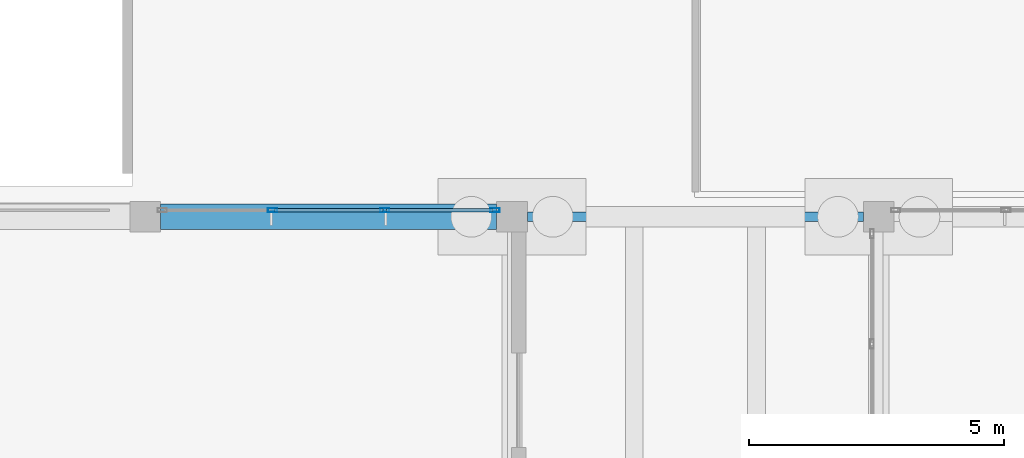
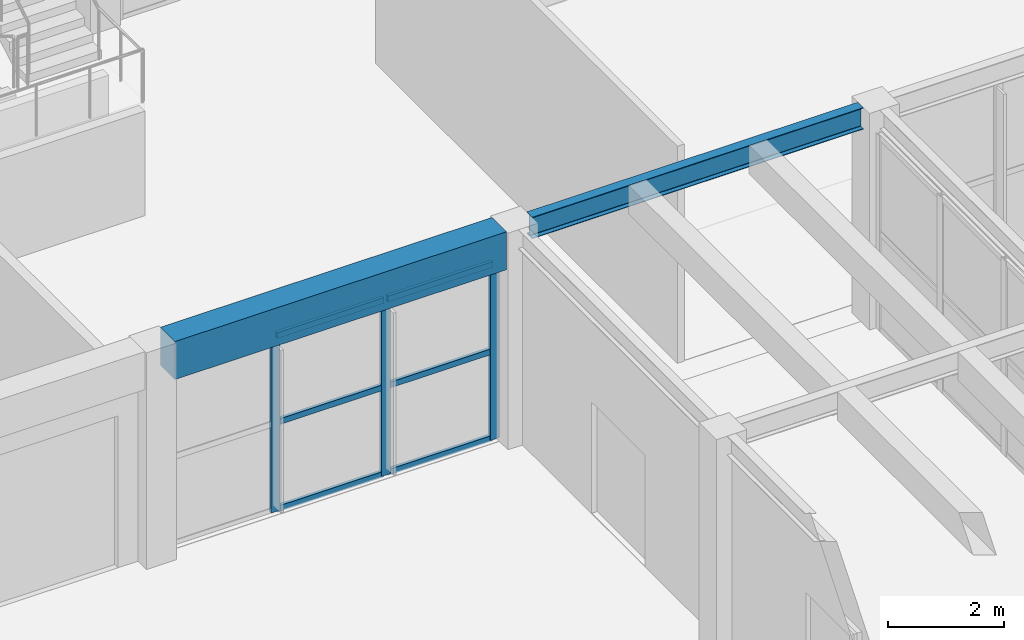
# One storey, part 28 of 155: 9 members, 2 beams, 1 element without a shape of its own.
"""IFC4 building model written with IfcOpenShell, lengths in metres."""

from ifc_helpers import new_model, si_unit, direction, frame, origin, origin_2d, place, context, subcontext, project, spatial, rectangle, hollow_rectangle, i_section, extrude, material, material_profile, profile_set, type_object, element, aggregate, save


model = new_model("IFC4")

# Units and contexts
model_context = context("Model", 3, precision=1e-05, world=origin(), true_north=direction((0.0, 1.0)))
body_context = subcontext(model_context, "Body", "Model", "MODEL_VIEW")
ifc_project = project(units=[si_unit("LENGTHUNIT", "METRE"), si_unit("AREAUNIT", "SQUARE_METRE"), si_unit("VOLUMEUNIT", "CUBIC_METRE"), si_unit("PLANEANGLEUNIT", "RADIAN"), si_unit("MASSUNIT", "GRAM", prefix="KILO")], contexts=[model_context])

# Site, building, storey
site_placement = place(None, origin())
site = spatial("IfcSite", under=ifc_project, at=site_placement, CompositionType="ELEMENT")
building_placement = place(site_placement, origin())
building = spatial("IfcBuilding", under=site, at=building_placement, Name="Bramvelor Terrace Health Centre", CompositionType="ELEMENT")
storey_placement = place(building_placement, origin())
storey = spatial("IfcBuildingStorey", under=building, at=storey_placement, Name="L01", CompositionType="ELEMENT", Elevation=0.0)

# Beams
ifc_material_1 = material(Name="Concrete C40/50", Category="concrete")
ifc_material_profile_1 = material_profile(ifc_material_1, rectangle(XDim=0.5, YDim=0.800048828125, at=origin_2d()), Name="RC 500x800")
ifc_profile_set_1 = profile_set([ifc_material_profile_1], Name="Concrete C40/50")
beam_type_1 = type_object("IfcBeamType", Name="BM-RC-G800", PredefinedType="BEAM", material=ifc_profile_set_1)
beam_1_placement = place(storey_placement, frame((50.699951171875, 36.0, 4.159912109375), z_axis=(1.0, 0.0, 0.0), x_axis=(0.0, 1.0, 0.0)))
element("IfcBeam", 1, at=beam_1_placement, inside=storey, type_object=beam_type_1, Name="L01 Floor Girder", PredefinedType="BEAM", context=body_context, shape_type="SweptSolid", body=[
    extrude(rectangle(XDim=0.5, YDim=0.800048828125, at=origin_2d()), origin(), (0.0, 0.0, 1.0), 6.60009765625),
])
ifc_material_2 = material(Name="Steel S355J2", Category="steel")
ifc_material_profile_2 = material_profile(ifc_material_2, i_section(OverallWidth=0.18994140625, OverallDepth=0.453369140625, WebThickness=0.008544921875, FlangeThickness=0.0126953125, FilletRadius=0.01025390625, at=origin_2d()), Name="UB 457x191x67")
ifc_profile_set_2 = profile_set([ifc_material_profile_2], Name="Steel S355J2")
beam_type_2 = type_object("IfcBeamType", Name="BM-STL-UB457", PredefinedType="BEAM", material=ifc_profile_set_2)
beam_2_placement = place(storey_placement, frame((57.89990234375, 36.0, 4.333251953125), z_axis=(1.0, 0.0, 0.0), x_axis=(0.0, 1.0, 0.0)))
element("IfcBeam", 2, at=beam_2_placement, inside=storey, type_object=beam_type_2, Name="L01 Floor Girder", PredefinedType="BEAM", context=body_context, shape_type="SweptSolid", body=[
    extrude(i_section(OverallWidth=0.18994140625, OverallDepth=0.453369140625, WebThickness=0.008544921875, FlangeThickness=0.0126953125, FilletRadius=0.01025390625, at=origin_2d()), origin(), (0.0, 0.0, 1.0), 6.60009765625),
])

# Curtain wall, members
ifc_material_3 = material(Name="Anodized aluminium and double low-E glass", Category="aluminium")
curtain_wall_type = type_object("IfcCurtainWallType", Name="CW-SYS-02", PredefinedType="NOTDEFINED", material=ifc_material_3)
curtain_wall_placement = place(storey_placement, origin())
curtain_wall = element("IfcCurtainWall", 3, at=curtain_wall_placement, inside=storey, type_object=curtain_wall_type, Name="L01 Unitized Curtain Wall 57", PredefinedType="NOTDEFINED")
ifc_material_4 = material(Name="Anodized aluminium 6063-T6", Category="aluminium")
ifc_material_profile_3 = material_profile(ifc_material_4, hollow_rectangle(XDim=0.074951171875, YDim=0.179931640625, WallThickness=0.00341796875, at=origin_2d()), Name="ALU-MUL 75x180x3.5")
ifc_profile_set_3 = profile_set([ifc_material_profile_3], Name="Anodized aluminium 6063-T6")
member_type_1 = type_object("IfcMemberType", Name="CW-MUL-65x180", PredefinedType="MULLION", material=ifc_profile_set_3)
member_1_placement = place(storey_placement, frame((57.267578125, 36.1298828125, 0.0), z_axis=(0.0, 0.0, 1.0), x_axis=(0.0, -1.0, 0.0)))
member_1 = element("IfcMember", 4, at=member_1_placement, type_object=member_type_1, Name="CW-02 mullion 1", PredefinedType="MULLION", context=body_context, shape_type="SweptSolid", body=[
    extrude(hollow_rectangle(XDim=0.074951171875, YDim=0.179931640625, WallThickness=0.00341796875, at=origin_2d()), origin(), (0.0, 0.0, 1.0), 3.719970703125),
])
member_2_placement = place(storey_placement, frame((55.1015625, 36.1298828125, 0.0), z_axis=(0.0, 0.0, 1.0), x_axis=(0.0, -1.0, 0.0)))
member_2 = element("IfcMember", 5, at=member_2_placement, type_object=member_type_1, Name="CW-02 mullion 2", PredefinedType="MULLION", context=body_context, shape_type="SweptSolid", body=[
    extrude(hollow_rectangle(XDim=0.074951171875, YDim=0.179931640625, WallThickness=0.00341796875, at=origin_2d()), origin(), (0.0, 0.0, 1.0), 3.719970703125),
])
member_3_placement = place(storey_placement, frame((52.8984375, 36.1298828125, 0.0), z_axis=(0.0, 0.0, 1.0), x_axis=(0.0, -1.0, 0.0)))
member_3 = element("IfcMember", 6, at=member_3_placement, type_object=member_type_1, Name="CW-02 mullion 3", PredefinedType="MULLION", context=body_context, shape_type="SweptSolid", body=[
    extrude(hollow_rectangle(XDim=0.074951171875, YDim=0.179931640625, WallThickness=0.00341796875, at=origin_2d()), origin(), (0.0, 0.0, 1.0), 3.719970703125),
])
ifc_material_5 = material(Name="Anodized aluminium 6063-T6", Category="aluminium")
ifc_material_profile_4 = material_profile(ifc_material_5, hollow_rectangle(XDim=0.06494140625, YDim=0.1201171875, WallThickness=0.0029296875, at=origin_2d()), Name="ALU-TRN 65x120x3.0")
ifc_profile_set_4 = profile_set([ifc_material_profile_4], Name="Anodized aluminium 6063-T6")
member_type_2 = type_object("IfcMemberType", Name="CW-TRN-65x150", PredefinedType="USERDEFINED", material=ifc_profile_set_4)
member_4_placement = place(storey_placement, frame((57.22998046875, 36.1298828125, 0.032470703125), z_axis=(-1.0, 0.0, 0.0), x_axis=(0.0, -1.0, 0.0)))
member_4 = element("IfcMember", 7, at=member_4_placement, type_object=member_type_2, Name="CW-02 transom 1.1", ObjectType="TRANSOM", PredefinedType="USERDEFINED", context=body_context, shape_type="SweptSolid", body=[
    extrude(hollow_rectangle(XDim=0.06494140625, YDim=0.1201171875, WallThickness=0.0029296875, at=origin_2d()), origin(), (0.0, 0.0, 1.0), 2.0908203125),
])
member_5_placement = place(storey_placement, frame((57.22998046875, 36.1298828125, 1.860107421875), z_axis=(-1.0, 0.0, 0.0), x_axis=(0.0, -1.0, 0.0)))
member_5 = element("IfcMember", 8, at=member_5_placement, type_object=member_type_2, Name="CW-02 transom 1.2", ObjectType="TRANSOM", PredefinedType="USERDEFINED", context=body_context, shape_type="SweptSolid", body=[
    extrude(hollow_rectangle(XDim=0.06494140625, YDim=0.1201171875, WallThickness=0.0029296875, at=origin_2d()), origin(), (0.0, 0.0, 1.0), 2.0908203125),
])
member_6_placement = place(storey_placement, frame((57.22998046875, 36.1298828125, 3.6875), z_axis=(-1.0, 0.0, 0.0), x_axis=(0.0, -1.0, 0.0)))
member_6 = element("IfcMember", 9, at=member_6_placement, type_object=member_type_2, Name="CW-02 transom 1.3", ObjectType="TRANSOM", PredefinedType="USERDEFINED", context=body_context, shape_type="SweptSolid", body=[
    extrude(hollow_rectangle(XDim=0.06494140625, YDim=0.1201171875, WallThickness=0.0029296875, at=origin_2d()), origin(), (0.0, 0.0, 1.0), 2.0908203125),
])
member_7_placement = place(storey_placement, frame((55.064208984375, 36.1298828125, 0.032470703125), z_axis=(-1.0, 0.0, 0.0), x_axis=(0.0, -1.0, 0.0)))
member_7 = element("IfcMember", 10, at=member_7_placement, type_object=member_type_2, Name="CW-02 transom 2.1", ObjectType="TRANSOM", PredefinedType="USERDEFINED", context=body_context, shape_type="SweptSolid", body=[
    extrude(hollow_rectangle(XDim=0.06494140625, YDim=0.1201171875, WallThickness=0.0029296875, at=origin_2d()), origin(), (0.0, 0.0, 1.0), 2.12841796875),
])
member_8_placement = place(storey_placement, frame((55.064208984375, 36.1298828125, 1.860107421875), z_axis=(-1.0, 0.0, 0.0), x_axis=(0.0, -1.0, 0.0)))
member_8 = element("IfcMember", 11, at=member_8_placement, type_object=member_type_2, Name="CW-02 transom 2.2", ObjectType="TRANSOM", PredefinedType="USERDEFINED", context=body_context, shape_type="SweptSolid", body=[
    extrude(hollow_rectangle(XDim=0.06494140625, YDim=0.1201171875, WallThickness=0.0029296875, at=origin_2d()), origin(), (0.0, 0.0, 1.0), 2.12841796875),
])
member_9_placement = place(storey_placement, frame((55.064208984375, 36.1298828125, 3.6875), z_axis=(-1.0, 0.0, 0.0), x_axis=(0.0, -1.0, 0.0)))
member_9 = element("IfcMember", 12, at=member_9_placement, type_object=member_type_2, Name="CW-02 transom 2.3", ObjectType="TRANSOM", PredefinedType="USERDEFINED", context=body_context, shape_type="SweptSolid", body=[
    extrude(hollow_rectangle(XDim=0.06494140625, YDim=0.1201171875, WallThickness=0.0029296875, at=origin_2d()), origin(), (0.0, 0.0, 1.0), 2.12841796875),
])
aggregate(curtain_wall, [member_1, member_2, member_3, member_4, member_5, member_6, member_7, member_8, member_9])

save(model, "model.ifc")
